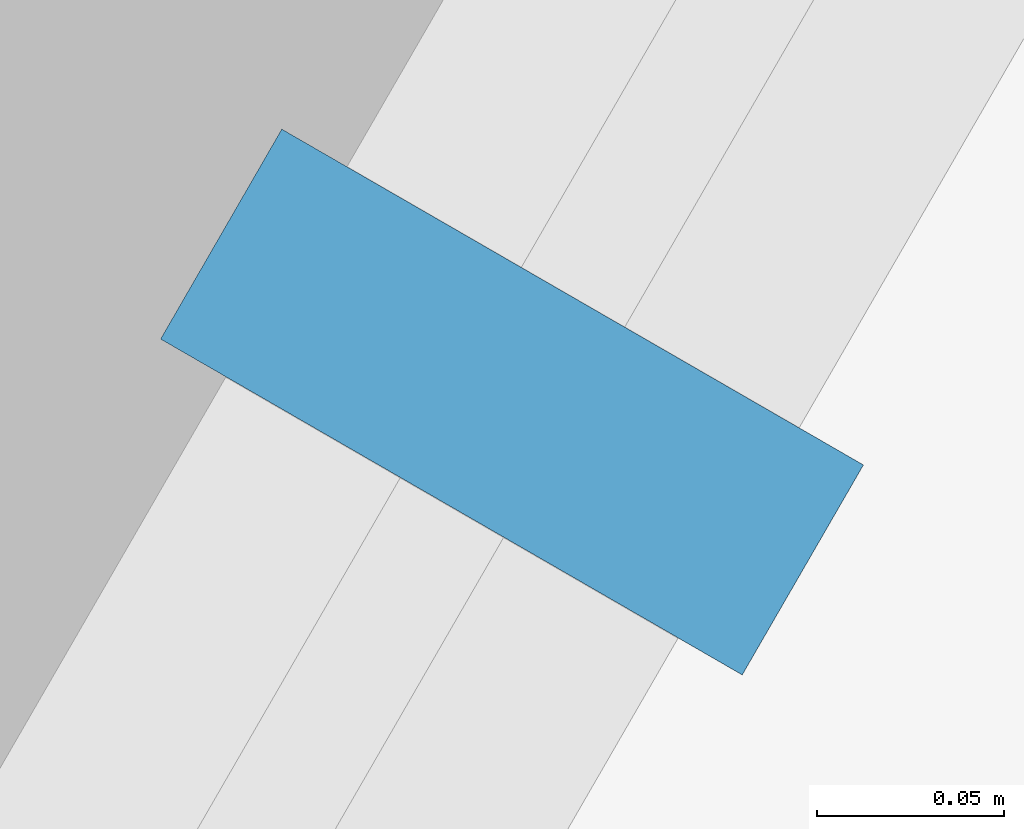
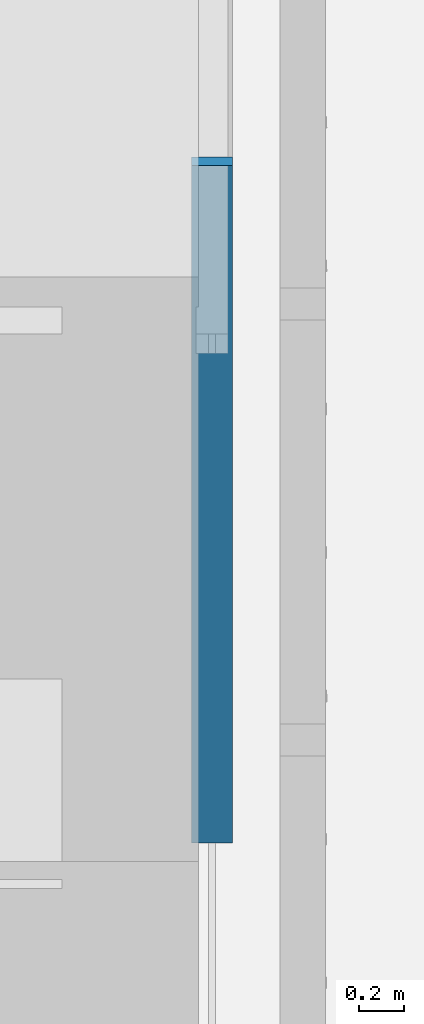
# One storey, part 92 of 238: 1 member, 1 element without a shape of its own.
"""IFC4 building model written with IfcOpenShell, lengths in metres."""

from ifc_helpers import new_model, si_unit, direction, frame, origin, origin_2d, place, context, subcontext, project, spatial, rectangle, extrude, material, material_profile, profile_set, type_object, element, aggregate, save


model = new_model("IFC4")

# Units and contexts
model_context = context("Model", 3, precision=1e-05, world=origin(), true_north=direction((0.0, 1.0)))
body_context = subcontext(model_context, "Body", "Model", "MODEL_VIEW")
ifc_project = project(units=[si_unit("LENGTHUNIT", "METRE"), si_unit("AREAUNIT", "SQUARE_METRE"), si_unit("VOLUMEUNIT", "CUBIC_METRE"), si_unit("PLANEANGLEUNIT", "RADIAN"), si_unit("MASSUNIT", "GRAM", prefix="KILO")], contexts=[model_context])

# Site, building, storey
site_placement = place(None, origin())
site = spatial("IfcSite", under=ifc_project, at=site_placement, CompositionType="ELEMENT")
building_placement = place(site_placement, origin())
building = spatial("IfcBuilding", under=site, at=building_placement, Name="Sandreach Pilgrim Tower", CompositionType="ELEMENT")
storey_placement = place(building_placement, frame((0.0, 0.0, 96.800048828125)))
storey = spatial("IfcBuildingStorey", under=building, at=storey_placement, Name="L23", CompositionType="ELEMENT", Elevation=96.800048828125)

# Curtain wall, member
ifc_material_1 = material(Name="Aluminium framed curtain wall", Category="aluminium")
curtain_wall_type = type_object("IfcCurtainWallType", Name="Hotel tower curtain wall", PredefinedType="NOTDEFINED", material=ifc_material_1)
curtain_wall_placement = place(storey_placement, origin())
curtain_wall = element("IfcCurtainWall", 1, at=curtain_wall_placement, inside=storey, type_object=curtain_wall_type, Name="CW-2 L23 SE", PredefinedType="NOTDEFINED")
ifc_material_2 = material(Name="Aluminium extrusion", Category="aluminium")
ifc_material_profile = material_profile(ifc_material_2, rectangle(XDim=0.06494140625, YDim=0.179931640625, at=origin_2d()), Name="CW-2M 65X180")
ifc_profile_set = profile_set([ifc_material_profile], Name="Aluminium extrusion")
member_type = type_object("IfcMemberType", Name="CW-2 mullion", PredefinedType="MULLION", material=ifc_profile_set)
member_placement = place(storey_placement, frame((18.453369140625, -13.025146484375, 0.0), z_axis=(0.0, 0.0, 1.0), x_axis=(-0.5, -0.866025403784, 0.0)))
member = element("IfcMember", 2, at=member_placement, type_object=member_type, Name="CW-2 mullion 6", PredefinedType="MULLION", context=body_context, shape_type="SweptSolid", body=[
    extrude(rectangle(XDim=0.06494140625, YDim=0.179931640625, at=origin_2d()), origin(), (0.0, 0.0, 1.0), 3.639892578125),
])
aggregate(curtain_wall, [member])

save(model, "model.ifc")
